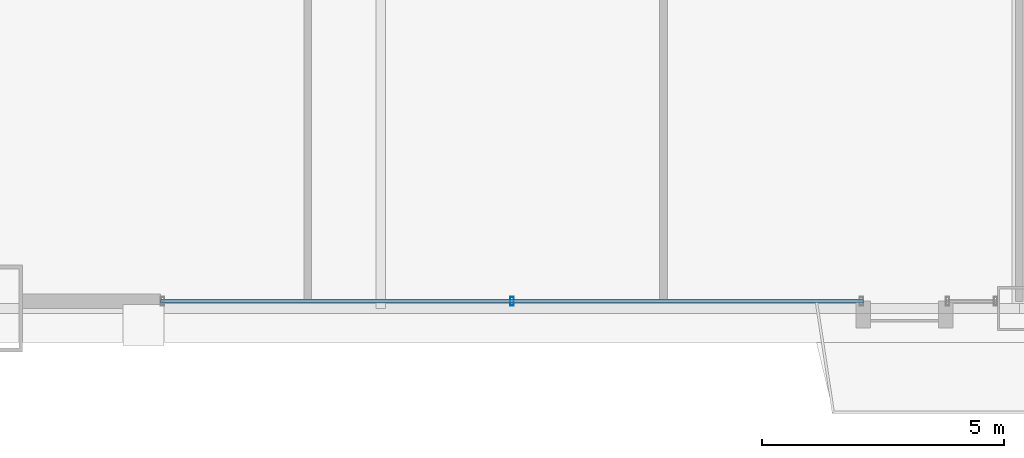
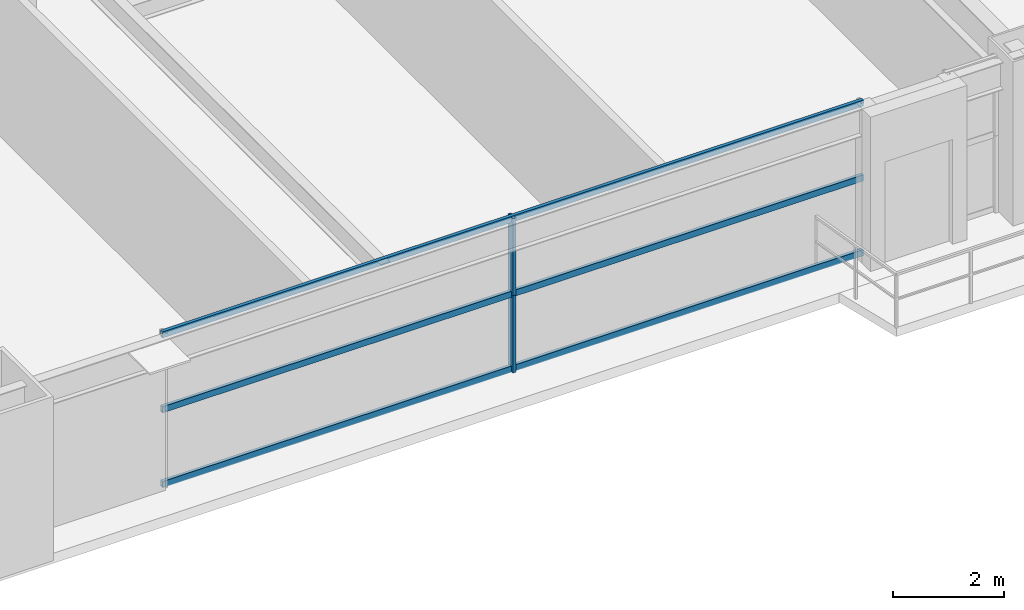
# One storey, part 5 of 45: 5 members, 1 element without a shape of its own.
"""IFC4 building model written with IfcOpenShell, lengths in metres."""

from ifc_helpers import new_model, si_unit, direction, frame, origin, origin_2d, place, context, subcontext, project, spatial, hollow_rectangle, extrude, source, transform, mapped, material, layer, layer_set, material_profile, profile_set, type_object, element, aggregate, save


model = new_model("IFC4")

# Units and contexts
model_context = context("Model", 3, precision=1e-05, world=origin(), true_north=direction((0.0, 1.0)))
body_context = subcontext(model_context, "Body", "Model", "MODEL_VIEW")
ifc_project = project(units=[si_unit("LENGTHUNIT", "METRE"), si_unit("AREAUNIT", "SQUARE_METRE"), si_unit("VOLUMEUNIT", "CUBIC_METRE"), si_unit("PLANEANGLEUNIT", "RADIAN"), si_unit("MASSUNIT", "GRAM", prefix="KILO"), si_unit("THERMODYNAMICTEMPERATUREUNIT", "KELVIN"), si_unit("POWERUNIT", "WATT")], contexts=[model_context])

# Site, building, storey
site_placement = place(None, origin())
site = spatial("IfcSite", under=ifc_project, at=site_placement, CompositionType="ELEMENT")
building_placement = place(site_placement, origin())
building = spatial("IfcBuilding", under=site, at=building_placement, Name="Yuzanri Waterfront Tower", CompositionType="ELEMENT")
storey_placement = place(building_placement, frame((0.0, 0.0, 34.199951171875)))
storey = spatial("IfcBuildingStorey", under=building, at=storey_placement, Name="L08", CompositionType="ELEMENT", Elevation=34.199951171875)

# Curtain wall, members
ifc_material_1 = material(Name="Anodized Architectural Bronze", Category="metal")
ifc_layer = layer(ifc_material_1, 0.159912109375)
ifc_layer_set = layer_set([ifc_layer], Name="Anodized Architectural Bronze")
curtain_wall_type = type_object("IfcCurtainWallType", Name="Anodized Bronze Hotel Lower-Tier Recessed Unitized Curtain Wall 8100", PredefinedType="NOTDEFINED", material=ifc_layer_set)
curtain_wall_placement = place(storey_placement, origin())
curtain_wall = element("IfcCurtainWall", 1, at=curtain_wall_placement, inside=storey, type_object=curtain_wall_type, Name="L08 Curtain Wall CW-L08-SL1", PredefinedType="NOTDEFINED")
ifc_material_2 = material(Name="Anodized Architectural Bronze", Category="metal")
ifc_material_profile_1 = material_profile(ifc_material_2, hollow_rectangle(XDim=0.070068359375, YDim=0.179931640625, WallThickness=0.00390625, at=origin_2d()), Name="CWM 70x180")
ifc_profile_set_1 = profile_set([ifc_material_profile_1], Name="Anodized Architectural Bronze")
member_type_1 = type_object("IfcMemberType", Name="Anodized Bronze Standard Curtain-Wall Mullion 70x180", PredefinedType="MULLION", material=ifc_profile_set_1)
shared_shape_1 = source(origin(), body_context, "Body", "SweptSolid", [
    extrude(hollow_rectangle(XDim=0.070068359375, YDim=0.179931640625, WallThickness=0.00390625, at=origin_2d()), origin(), (0.0, 0.0, 1.0), 1.68798828125),
])
member_1_placement = place(storey_placement, frame((26.513427734375, 0.85009765625, 0.0), z_axis=(0.0, 0.0, 1.0), x_axis=(1.0, 0.0, 0.0)))
member_1 = element("IfcMember", 2, at=member_1_placement, type_object=member_type_1, Name="CW-L08-SL1 Lower Mullion 01", PredefinedType="MULLION", context=body_context, shape_type="MappedRepresentation", body=[
    mapped(shared_shape_1, transform((0.0, 0.0, 0.0), scale=1.0)),
])
member_2_placement = place(storey_placement, frame((26.513427734375, 0.85009765625, 1.692138671875), z_axis=(0.0, 0.0, 1.0), x_axis=(1.0, 0.0, 0.0)))
member_2 = element("IfcMember", 3, at=member_2_placement, type_object=member_type_1, Name="CW-L08-SL1 Upper Mullion 01", PredefinedType="MULLION", context=body_context, shape_type="MappedRepresentation", body=[
    mapped(shared_shape_1, transform((0.0, 0.0, 0.0), scale=1.0)),
])
ifc_material_3 = material(Name="Anodized Architectural Bronze", Category="metal")
ifc_material_profile_2 = material_profile(ifc_material_3, hollow_rectangle(XDim=0.070068359375, YDim=0.135009765625, WallThickness=0.00341796875, at=origin_2d()), Name="CWT 70x135")
ifc_profile_set_2 = profile_set([ifc_material_profile_2], Name="Anodized Architectural Bronze")
member_type_2 = type_object("IfcMemberType", Name="Anodized Bronze Standard Curtain-Wall Transom 70x135", PredefinedType="USERDEFINED", material=ifc_profile_set_2)
shared_shape_2 = source(origin(), body_context, "Body", "SweptSolid", [
    extrude(hollow_rectangle(XDim=0.070068359375, YDim=0.135009765625, WallThickness=0.00341796875, at=origin_2d()), origin(), (0.0, 0.0, 1.0), 14.527099609375),
])
member_3_placement = place(storey_placement, frame((19.25, 0.85009765625, 0.050048828125), z_axis=(1.0, 0.0, 0.0), x_axis=(0.0, 1.0, 0.0)))
member_3 = element("IfcMember", 4, at=member_3_placement, type_object=member_type_2, Name="CW-L08-SL1 Transom 1", ObjectType="TRANSOM", PredefinedType="USERDEFINED", context=body_context, shape_type="MappedRepresentation", body=[
    mapped(shared_shape_2, transform((0.0, 0.0, 0.0), scale=1.0)),
])
member_4_placement = place(storey_placement, frame((19.25, 0.85009765625, 1.68994140625), z_axis=(1.0, 0.0, 0.0), x_axis=(0.0, 1.0, 0.0)))
member_4 = element("IfcMember", 5, at=member_4_placement, type_object=member_type_2, Name="CW-L08-SL1 Transom 2", ObjectType="TRANSOM", PredefinedType="USERDEFINED", context=body_context, shape_type="MappedRepresentation", body=[
    mapped(shared_shape_2, transform((0.0, 0.0, 0.0), scale=1.0)),
])
member_5_placement = place(storey_placement, frame((19.25, 0.85009765625, 3.330078125), z_axis=(1.0, 0.0, 0.0), x_axis=(0.0, 1.0, 0.0)))
member_5 = element("IfcMember", 6, at=member_5_placement, type_object=member_type_2, Name="CW-L08-SL1 Transom 3", ObjectType="TRANSOM", PredefinedType="USERDEFINED", context=body_context, shape_type="MappedRepresentation", body=[
    mapped(shared_shape_2, transform((0.0, 0.0, 0.0), scale=1.0)),
])
aggregate(curtain_wall, [member_1, member_2, member_3, member_4, member_5])

save(model, "model.ifc")
